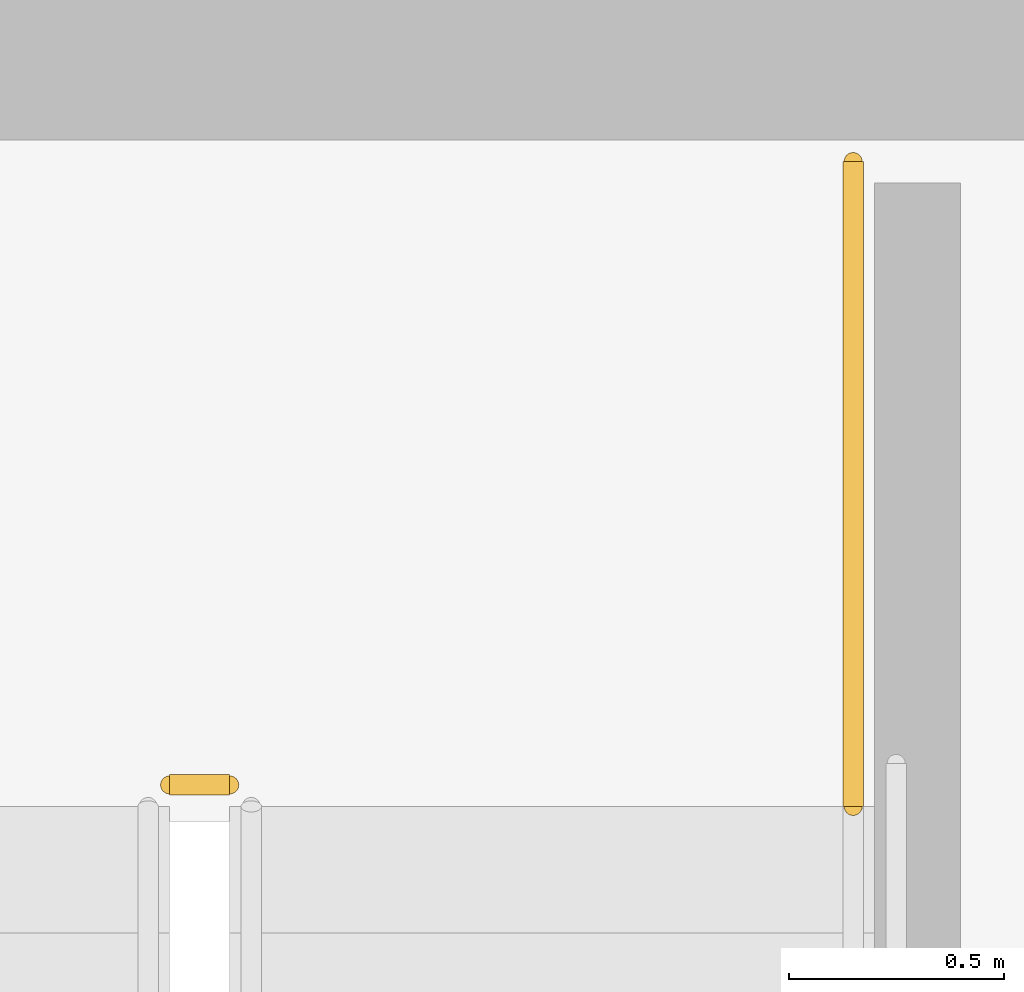
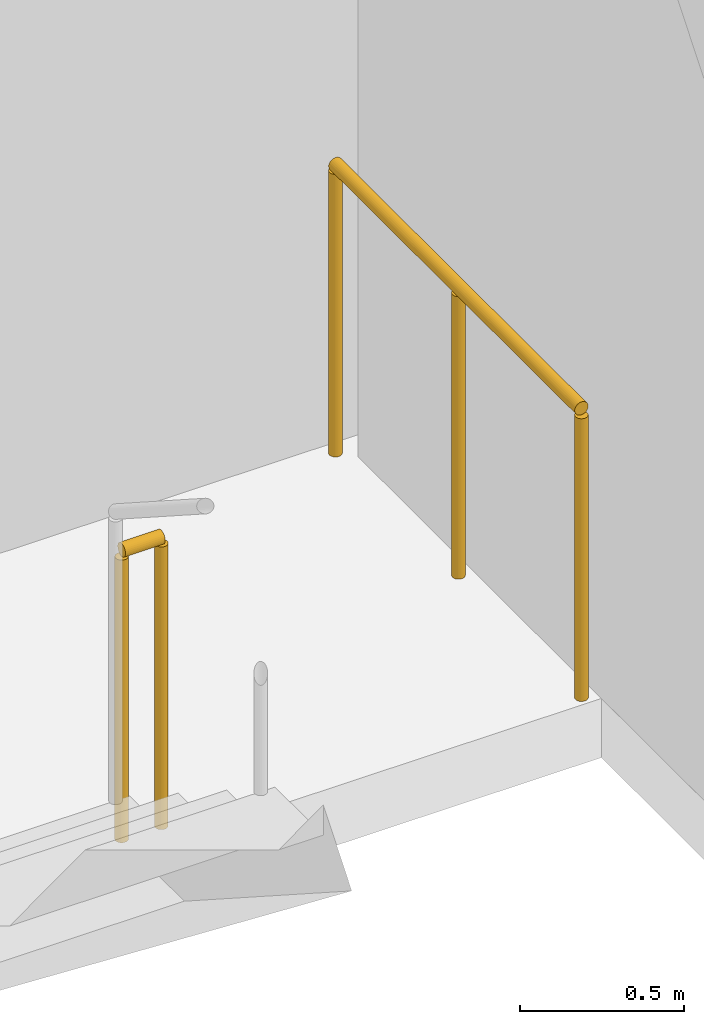
# One storey, part 34 of 35: 2 railings.
"""IFC4 building model written with IfcOpenShell, lengths in metres."""

from ifc_helpers import new_model, si_unit, direction, frame, origin, origin_2d, place, context, subcontext, project, spatial, circle, extrude, material, layer, layer_set, type_object, element, save


model = new_model("IFC4")

# Units and contexts
model_context = context("Model", 3, precision=1e-05, world=origin(), true_north=direction((0.0, 1.0)))
body_context = subcontext(model_context, "Body", "Model", "MODEL_VIEW")
ifc_project = project(units=[si_unit("LENGTHUNIT", "METRE"), si_unit("AREAUNIT", "SQUARE_METRE"), si_unit("VOLUMEUNIT", "CUBIC_METRE"), si_unit("PLANEANGLEUNIT", "RADIAN"), si_unit("MASSUNIT", "GRAM", prefix="KILO")], contexts=[model_context])

# Site, building, storey
site_placement = place(None, origin())
site = spatial("IfcSite", under=ifc_project, at=site_placement, CompositionType="ELEMENT")
building_placement = place(site_placement, origin())
building = spatial("IfcBuilding", under=site, at=building_placement, Name="Ndaravel Arena Tower", CompositionType="ELEMENT")
storey_placement = place(building_placement, frame((0.0, 0.0, 180.199951171875)))
storey = spatial("IfcBuildingStorey", under=building, at=storey_placement, Name="L43", CompositionType="ELEMENT", Elevation=180.199951171875)

# Railings
ifc_material = material(Name="Steel S355", Category="steel")
ifc_layer = layer(ifc_material, 0.06005859375)
ifc_layer_set = layer_set([ifc_layer], Name="Steel S355")
railing_type = type_object("IfcRailingType", Name="RAIL-STAIR-GD1100", PredefinedType="GUARDRAIL", material=ifc_layer_set)
railing_1_placement = place(storey_placement, frame((55.10009765625, 13.300048828125, 0.0)))
element("IfcRailing", 1, at=railing_1_placement, inside=storey, type_object=railing_type, Name="L43 ST-3 stair guard 4", PredefinedType="GUARDRAIL", context=body_context, shape_type="SweptSolid", body=[
    extrude(circle(Radius=0.02392578125, at=origin_2d()), frame((0.0, 0.0, 1.076171875), z_axis=(1.0, 0.0, 0.0), x_axis=(0.0, 1.0, 0.0)), (0.0, 0.0, 1.0), 0.139892578125),
    extrude(circle(Radius=0.02099609375, at=origin_2d()), origin(), (0.0, 0.0, 1.0), 1.052001953125),
    extrude(circle(Radius=0.02099609375, at=origin_2d()), frame((0.139892578125, 0.0, 0.0)), (0.0, 0.0, 1.0), 1.052001953125),
])
railing_2_placement = place(storey_placement, frame((56.68994140625, 14.75, 0.0)))
element("IfcRailing", 2, at=railing_2_placement, inside=storey, type_object=railing_type, Name="L43 ST-3 stair guard 5", PredefinedType="GUARDRAIL", context=body_context, shape_type="SweptSolid", body=[
    extrude(circle(Radius=0.02392578125, at=origin_2d()), frame((0.0, 0.0, 1.076171875), z_axis=(0.0, -1.0, 0.0), x_axis=(1.0, 0.0, 0.0)), (0.0, 0.0, 1.0), 1.5),
    extrude(circle(Radius=0.02099609375, at=origin_2d()), origin(), (0.0, 0.0, 1.0), 1.052001953125),
    extrude(circle(Radius=0.02099609375, at=origin_2d()), frame((0.0, -0.75, 0.0)), (0.0, 0.0, 1.0), 1.052001953125),
    extrude(circle(Radius=0.02099609375, at=origin_2d()), frame((0.0, -1.5, 0.0)), (0.0, 0.0, 1.0), 1.052001953125),
])

save(model, "model.ifc")
